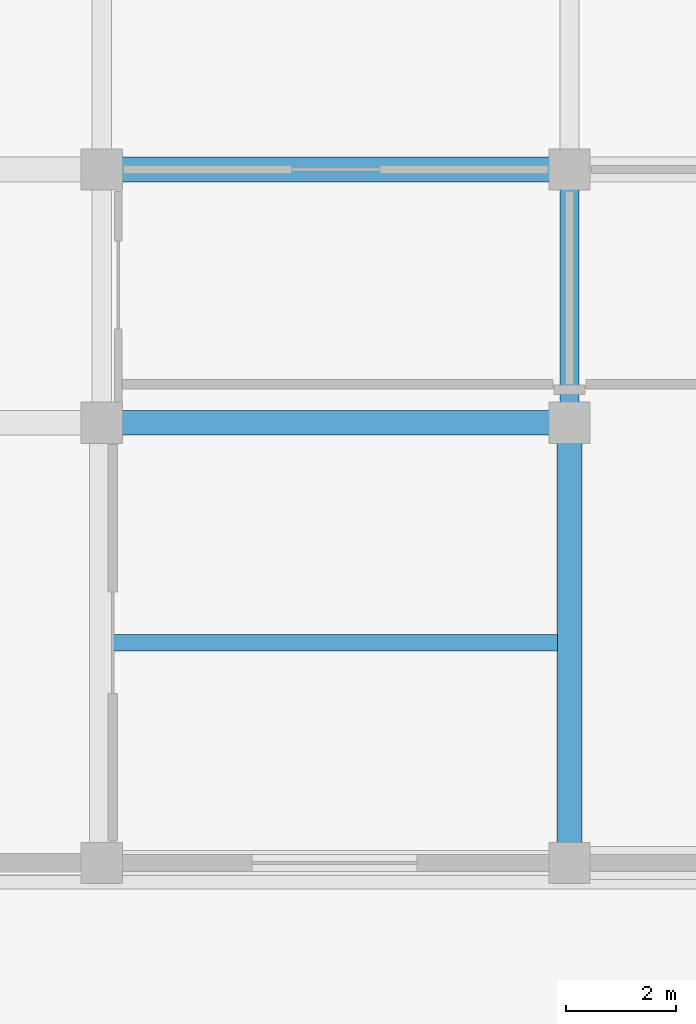
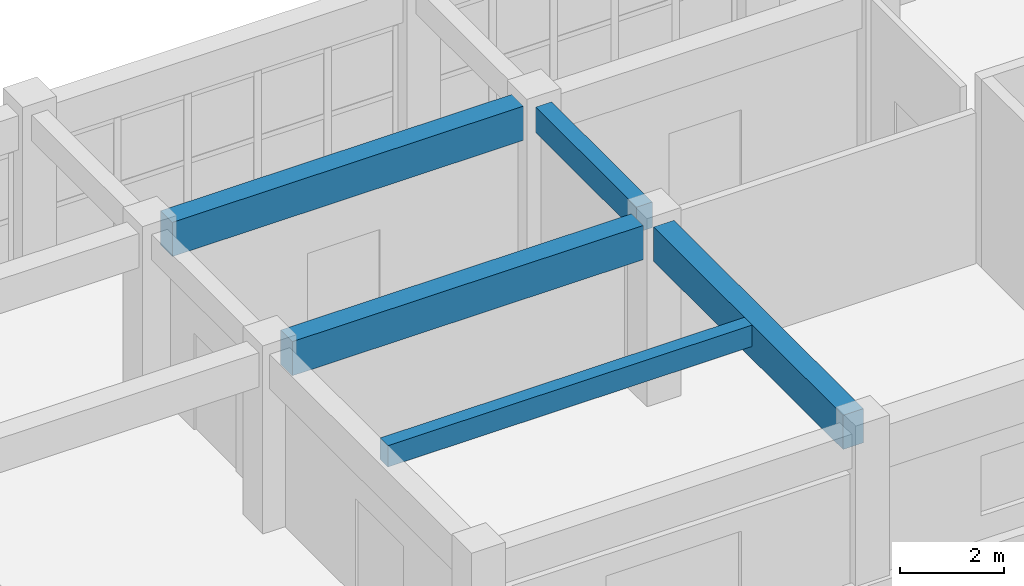
# One storey, part 36 of 90: 5 beams.
"""IFC4 building model written with IfcOpenShell, lengths in metres."""

from ifc_helpers import new_model, si_unit, direction, frame, origin, origin_2d, place, context, subcontext, project, spatial, rectangle, extrude, material, material_profile, profile_set, type_object, element, save


model = new_model("IFC4")

# Units and contexts
model_context = context("Model", 3, precision=1e-05, world=origin(), true_north=direction((0.0, 1.0)))
body_context = subcontext(model_context, "Body", "Model", "MODEL_VIEW")
ifc_project = project(units=[si_unit("LENGTHUNIT", "METRE"), si_unit("AREAUNIT", "SQUARE_METRE"), si_unit("VOLUMEUNIT", "CUBIC_METRE"), si_unit("PLANEANGLEUNIT", "RADIAN"), si_unit("MASSUNIT", "GRAM", prefix="KILO")], contexts=[model_context])

# Site, building, storey
site_placement = place(None, origin())
site = spatial("IfcSite", under=ifc_project, at=site_placement, CompositionType="ELEMENT")
building_placement = place(site_placement, origin())
building = spatial("IfcBuilding", under=site, at=building_placement, Name="Muzn Square Opera House", CompositionType="ELEMENT")
storey_placement = place(building_placement, frame((0.0, 0.0, 9.800048828125)))
storey = spatial("IfcBuildingStorey", under=building, at=storey_placement, Name="L02", CompositionType="ELEMENT", Elevation=9.800048828125)

# Beams
ifc_material = material(Name="Concrete C40/50", Category="concrete")
ifc_material_profile_1 = material_profile(ifc_material, rectangle(XDim=0.300048828125, YDim=0.5, at=origin_2d()), Name="RCJ 300x500", Category="concrete")
ifc_profile_set_1 = profile_set([ifc_material_profile_1], Name="Concrete C40/50")
beam_type_1 = type_object("IfcBeamType", Name="Floor Joist 300x500", PredefinedType="JOIST", material=ifc_profile_set_1)
beam_1_placement = place(storey_placement, frame((141.217041015625, 18.0, 3.89990234375), z_axis=(1.0, 0.0, 0.0), x_axis=(0.0, 1.0, 0.0)))
element("IfcBeam", 1, at=beam_1_placement, inside=storey, type_object=beam_type_1, Name="Floor Joist BM-L02-BM-J500-1412_180_1493_180-2397", PredefinedType="JOIST", context=body_context, shape_type="SweptSolid", body=[
    extrude(rectangle(XDim=0.300048828125, YDim=0.5, at=origin_2d()), origin(), (0.0, 0.0, 1.0), 8.06591796875),
])
ifc_material_profile_2 = material_profile(ifc_material, rectangle(XDim=0.35009765625, YDim=0.60009765625, at=origin_2d()), Name="RCB 350x600", Category="concrete")
ifc_profile_set_2 = profile_set([ifc_material_profile_2], Name="Concrete C40/50")
beam_type_2 = type_object("IfcBeamType", Name="Primary Girder 350x600", PredefinedType="BEAM", material=ifc_profile_set_2)
beam_2_placement = place(storey_placement, frame((149.5, 22.366943359375, 3.849853515625), z_axis=(0.0, 1.0, 0.0), x_axis=(-1.0, 0.0, 0.0)))
element("IfcBeam", 2, at=beam_2_placement, inside=storey, type_object=beam_type_2, Name="Primary Girder BM-L02-BM-PG600-1495_224_1495_262-2271", PredefinedType="BEAM", context=body_context, shape_type="SweptSolid", body=[
    extrude(rectangle(XDim=0.35009765625, YDim=0.60009765625, at=origin_2d()), origin(), (0.0, 0.0, 1.0), 3.865966796875),
])
ifc_material_profile_3 = material_profile(ifc_material, rectangle(XDim=0.449951171875, YDim=0.800048828125, at=origin_2d()), Name="RCB 450x800", Category="concrete")
ifc_profile_set_3 = profile_set([ifc_material_profile_3], Name="Concrete C40/50")
beam_type_3 = type_object("IfcBeamType", Name="Primary Girder 450x800", PredefinedType="BEAM", material=ifc_profile_set_3)
for number, where, z_axis, x_axis, name in (
    (3, (141.366943359375, 22.0, 3.75), (1.0, 0.0, 0.0), (0.0, 1.0, 0.0), "Primary Girder BM-L02-BM-PG800-1414_220_1491_220-1962"),
    (4, (141.366943359375, 26.60009765625, 3.75), (1.0, 0.0, 0.0), (0.0, 1.0, 0.0), "Primary Girder BM-L02-BM-PG800-1414_266_1491_266-1975"),
):
    element("IfcBeam", number, at=place(storey_placement, frame(where, z_axis=z_axis, x_axis=x_axis)), inside=storey, type_object=beam_type_3, Name=name, PredefinedType="BEAM", context=body_context, shape_type="SweptSolid", body=[
        extrude(rectangle(XDim=0.449951171875, YDim=0.800048828125, at=origin_2d()), origin(), (0.0, 0.0, 1.0), 7.76611328125),
    ])
beam_3_placement = place(storey_placement, frame((149.5, 14.366943359375, 3.75), z_axis=(0.0, 1.0, 0.0), x_axis=(-1.0, 0.0, 0.0)))
element("IfcBeam", 5, at=beam_3_placement, inside=storey, type_object=beam_type_3, Name="Primary Girder BM-L02-BM-PG800-1495_144_1495_216-2270", PredefinedType="BEAM", context=body_context, shape_type="SweptSolid", body=[
    extrude(rectangle(XDim=0.449951171875, YDim=0.800048828125, at=origin_2d()), origin(), (0.0, 0.0, 1.0), 7.26611328125),
])

save(model, "model.ifc")
